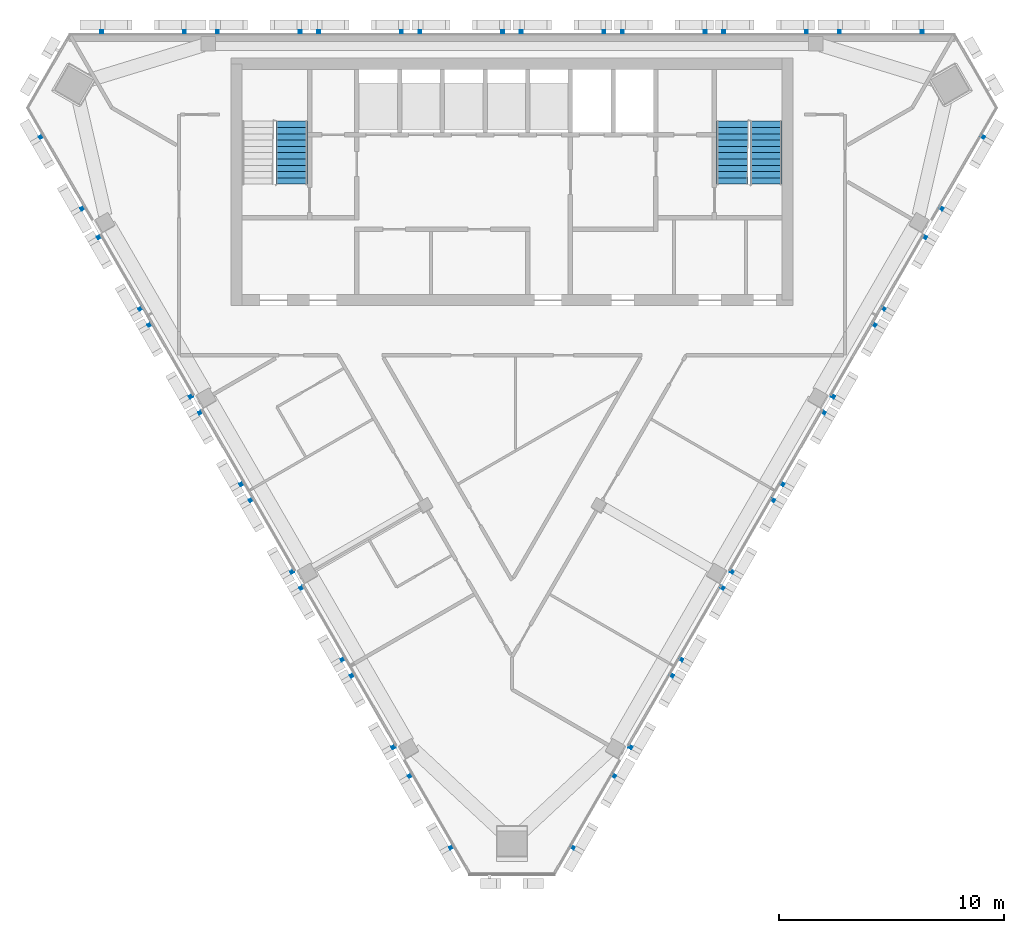
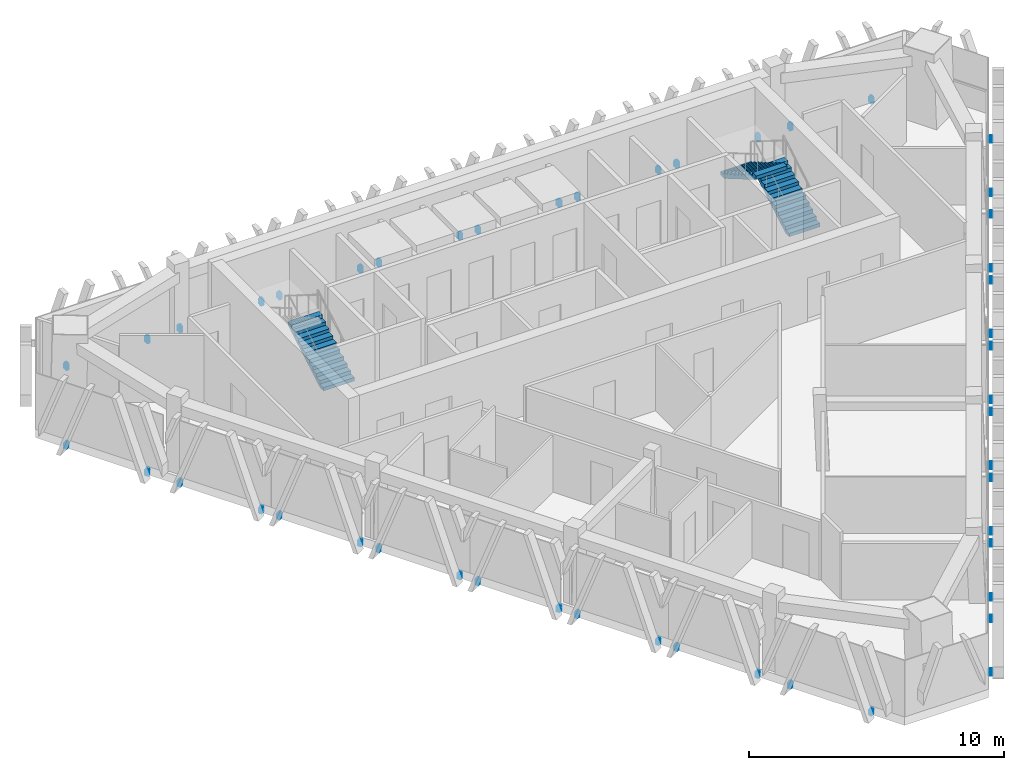
# One storey, part 8 of 12: 3 discrete accessories, 3 stair flights, 2 elements without a shape of their own.
"""IFC4 building model written with IfcOpenShell, lengths in metres."""

from ifc_helpers import new_model, si_unit, direction, frame, origin, place, context, subcontext, project, spatial, polyline, outline, extrude, source, transform, mapped, material, type_object, element, aggregate, save


model = new_model("IFC4")

# Units and contexts
model_context = context("Model", 3, precision=1e-05, world=origin(), true_north=direction((0.0, 1.0)))
body_context = subcontext(model_context, "Body", "Model", "MODEL_VIEW")
ifc_project = project(units=[si_unit("LENGTHUNIT", "METRE"), si_unit("AREAUNIT", "SQUARE_METRE"), si_unit("VOLUMEUNIT", "CUBIC_METRE"), si_unit("PLANEANGLEUNIT", "RADIAN"), si_unit("MASSUNIT", "GRAM", prefix="KILO")], contexts=[model_context])

# Site, building, storey
site_placement = place(None, origin())
site = spatial("IfcSite", under=ifc_project, at=site_placement, CompositionType="ELEMENT")
building_placement = place(site_placement, origin())
building = spatial("IfcBuilding", under=site, at=building_placement, Name="Altiplano Prism Tower", CompositionType="ELEMENT")
storey_placement = place(building_placement, frame((0.0, 0.0, 316.60009765625)))
storey = spatial("IfcBuildingStorey", under=building, at=storey_placement, Name="L82", CompositionType="ELEMENT", Elevation=316.60009765625)

# Stair, stair flight
ifc_material_1 = material(Name="Concrete C40/50", Category="concrete")
stair_type = type_object("IfcStairType", Name="Exit stair 1400", PredefinedType="HALF_TURN_STAIR", material=ifc_material_1)
stair_1_placement = place(storey_placement, origin())
stair_1 = element("IfcStair", 1, at=stair_1_placement, inside=storey, type_object=stair_type, Name="L82 Exit Stair 1", PredefinedType="HALF_TURN_STAIR")
stair_flight_type = type_object("IfcStairFlightType", Name="Stair flight concrete 150", PredefinedType="STRAIGHT", material=ifc_material_1)
stair_flight_1_placement = place(storey_placement, frame((75.199951171875, 98.300048828125, 0.0), z_axis=(0.0, 0.0, 1.0), x_axis=(0.0, 1.0, 0.0)))
stair_flight_1 = element("IfcStairFlight", 2, at=stair_flight_1_placement, type_object=stair_flight_type, Name="ST1 flight 1", NumberOfRisers=11, NumberOfTreads=10, PredefinedType="STRAIGHT", RiserHeight=0.163636364, TreadLength=0.28, context=body_context, shape_type="SweptSolid", body=[
    extrude(outline(polyline([(0.0, 0.0), (0.0, 0.16357421875), (0.280029296875, 0.16357421875), (0.280029296875, 0.327392578125), (0.56005859375, 0.327392578125), (0.56005859375, 0.490966796875), (0.840087890625, 0.490966796875), (0.840087890625, 0.654541015625), (1.1201171875, 0.654541015625), (1.1201171875, 0.818115234375), (1.39990234375, 0.818115234375), (1.39990234375, 0.98193359375), (1.679931640625, 0.98193359375), (1.679931640625, 1.1455078125), (1.9599609375, 1.1455078125), (1.9599609375, 1.30908203125), (2.239990234375, 1.30908203125), (2.239990234375, 1.47265625), (2.52001953125, 1.47265625), (2.52001953125, 1.636474609375), (2.800048828125, 1.636474609375), (2.800048828125, 1.800048828125), (2.800048828125, 1.462646484375), (0.297119140625, 0.0), (0.0, 0.0)])), frame((0.0, 0.699951171875, 0.0), z_axis=(0.0, -1.0, 0.0), x_axis=(1.0, 0.0, 0.0)), (0.0, 0.0, 1.0), 1.39990234375),
])
aggregate(stair_1, [stair_flight_1])

# Stair, stair flights
stair_2_placement = place(storey_placement, origin())
stair_2 = element("IfcStair", 3, at=stair_2_placement, inside=storey, type_object=stair_type, Name="L82 Exit Stair 2", PredefinedType="HALF_TURN_STAIR")
stair_flight_2_placement = place(storey_placement, frame((96.300048828125, 98.300048828125, 0.0), z_axis=(0.0, 0.0, 1.0), x_axis=(0.0, 1.0, 0.0)))
stair_flight_2 = element("IfcStairFlight", 4, at=stair_flight_2_placement, type_object=stair_flight_type, Name="ST2 flight 1", NumberOfRisers=11, NumberOfTreads=10, PredefinedType="STRAIGHT", RiserHeight=0.163636364, TreadLength=0.28, context=body_context, shape_type="SweptSolid", body=[
    extrude(outline(polyline([(0.0, 0.0), (0.0, 0.16357421875), (0.280029296875, 0.16357421875), (0.280029296875, 0.327392578125), (0.56005859375, 0.327392578125), (0.56005859375, 0.490966796875), (0.840087890625, 0.490966796875), (0.840087890625, 0.654541015625), (1.1201171875, 0.654541015625), (1.1201171875, 0.818115234375), (1.39990234375, 0.818115234375), (1.39990234375, 0.98193359375), (1.679931640625, 0.98193359375), (1.679931640625, 1.1455078125), (1.9599609375, 1.1455078125), (1.9599609375, 1.30908203125), (2.239990234375, 1.30908203125), (2.239990234375, 1.47265625), (2.52001953125, 1.47265625), (2.52001953125, 1.636474609375), (2.800048828125, 1.636474609375), (2.800048828125, 1.800048828125), (2.800048828125, 1.462646484375), (0.297119140625, 0.0), (0.0, 0.0)])), frame((0.0, 0.699951171875, 0.0), z_axis=(0.0, -1.0, 0.0), x_axis=(1.0, 0.0, 0.0)), (0.0, 0.0, 1.0), 1.39990234375),
])
stair_flight_3_placement = place(storey_placement, frame((94.800048828125, 101.10009765625, 1.7998046875), z_axis=(0.0, 0.0, 1.0), x_axis=(0.0, -1.0, 0.0)))
stair_flight_3 = element("IfcStairFlight", 5, at=stair_flight_3_placement, type_object=stair_flight_type, Name="ST2 flight 2", NumberOfRisers=11, NumberOfTreads=10, PredefinedType="STRAIGHT", RiserHeight=0.163636364, TreadLength=0.28, context=body_context, shape_type="SweptSolid", body=[
    extrude(outline(polyline([(0.0, 0.0), (0.0, 0.16357421875), (0.280029296875, 0.16357421875), (0.280029296875, 0.327392578125), (0.56005859375, 0.327392578125), (0.56005859375, 0.490966796875), (0.840087890625, 0.490966796875), (0.840087890625, 0.654541015625), (1.1201171875, 0.654541015625), (1.1201171875, 0.818115234375), (1.39990234375, 0.818115234375), (1.39990234375, 0.98193359375), (1.679931640625, 0.98193359375), (1.679931640625, 1.1455078125), (1.9599609375, 1.1455078125), (1.9599609375, 1.30908203125), (2.239990234375, 1.30908203125), (2.239990234375, 1.47265625), (2.52001953125, 1.47265625), (2.52001953125, 1.636474609375), (2.800048828125, 1.636474609375), (2.800048828125, 1.800048828125), (2.800048828125, 1.462646484375), (0.297119140625, 0.0), (0.0, 0.0)])), frame((0.0, 0.699951171875, 0.0), z_axis=(0.0, -1.0, 0.0), x_axis=(1.0, 0.0, 0.0)), (0.0, 0.0, 1.0), 1.39990234375),
])
aggregate(stair_2, [stair_flight_2, stair_flight_3])

# Discrete accessories
ifc_material_2 = material(Name="Stainless steel", Category="steel")
discrete_accessory_type = type_object("IfcDiscreteAccessoryType", Name="Stone fin fixing prongs", PredefinedType="USERDEFINED", material=ifc_material_2)
shared_shape_1 = source(origin(), body_context, "Body", "SweptSolid", [
    extrude(outline(polyline([(-1.8974609375, 0.06005859375), (-1.777587890625, 0.06005859375), (-1.777587890625, 0.340087890625), (-1.8974609375, 0.340087890625), (-1.8974609375, 0.06005859375)])), frame((0.0, 0.0, 0.0), z_axis=(0.0, -1.0, 0.0), x_axis=(1.0, 0.0, 0.0)), (0.0, 0.0, 1.0), 0.14990234375),
    extrude(outline(polyline([(1.777587890625, 0.06005859375), (1.8974609375, 0.06005859375), (1.8974609375, 0.340087890625), (1.777587890625, 0.340087890625), (1.777587890625, 0.06005859375)])), frame((0.0, 0.0, 0.0), z_axis=(0.0, -1.0, 0.0), x_axis=(1.0, 0.0, 0.0)), (0.0, 0.0, 1.0), 0.14990234375),
])
shared_shape_2 = source(origin(), body_context, "Body", "SweptSolid", [
    extrude(outline(polyline([(-1.8974609375, 0.06005859375), (-1.777587890625, 0.06005859375), (-1.777587890625, 0.340087890625), (-1.8974609375, 0.340087890625), (-1.8974609375, 0.06005859375)])), frame((0.0, 0.0, 0.0), z_axis=(0.0, -1.0, 0.0), x_axis=(1.0, 0.0, 0.0)), (0.0, 0.0, 1.0), 0.14990234375),
    extrude(outline(polyline([(1.777587890625, 0.06005859375), (1.8974609375, 0.06005859375), (1.8974609375, 0.340087890625), (1.777587890625, 0.340087890625), (1.777587890625, 0.06005859375)])), frame((0.0, 0.0, 0.0), z_axis=(0.0, -1.0, 0.0), x_axis=(1.0, 0.0, 0.0)), (0.0, 0.0, 1.0), 0.14990234375),
])
discrete_accessory_1_placement = place(storey_placement, origin())
element("IfcDiscreteAccessory", 6, at=discrete_accessory_1_placement, inside=storey, type_object=discrete_accessory_type, Name="Fin fixings L82 north face", ObjectType="BRACKET", PredefinedType="USERDEFINED", context=body_context, shape_type="MappedRepresentation", body=[
    mapped(shared_shape_1, transform((101.397705078125, 105.0, -0.400146484375), x_axis=(-1.0, 0.0, 0.0), y_axis=(0.0, -1.0, 0.0), z_axis=(0.0, 0.0, 1.0))),
    mapped(shared_shape_2, transform((96.25, 105.0, -0.400146484375), x_axis=(-1.0, 0.0, 0.0), y_axis=(0.0, -1.0, 0.0), z_axis=(0.0, 0.0, 1.0))),
    mapped(shared_shape_2, transform((91.75, 105.0, -0.400146484375), x_axis=(-1.0, 0.0, 0.0), y_axis=(0.0, -1.0, 0.0), z_axis=(0.0, 0.0, 1.0))),
    mapped(shared_shape_2, transform((87.25, 105.0, -0.400146484375), x_axis=(-1.0, 0.0, 0.0), y_axis=(0.0, -1.0, 0.0), z_axis=(0.0, 0.0, 1.0))),
    mapped(shared_shape_2, transform((82.75, 105.0, -0.400146484375), x_axis=(-1.0, 0.0, 0.0), y_axis=(0.0, -1.0, 0.0), z_axis=(0.0, 0.0, 1.0))),
    mapped(shared_shape_2, transform((78.25, 105.0, -0.400146484375), x_axis=(-1.0, 0.0, 0.0), y_axis=(0.0, -1.0, 0.0), z_axis=(0.0, 0.0, 1.0))),
    mapped(shared_shape_2, transform((73.75, 105.0, -0.400146484375), x_axis=(-1.0, 0.0, 0.0), y_axis=(0.0, -1.0, 0.0), z_axis=(0.0, 0.0, 1.0))),
    mapped(shared_shape_1, transform((68.602294921875, 105.0, -0.400146484375), x_axis=(-1.0, 0.0, 0.0), y_axis=(0.0, -1.0, 0.0), z_axis=(0.0, 0.0, 1.0))),
])
discrete_accessory_2_placement = place(storey_placement, origin())
element("IfcDiscreteAccessory", 7, at=discrete_accessory_2_placement, inside=storey, type_object=discrete_accessory_type, Name="Fin fixings L82 south-west face", ObjectType="BRACKET", PredefinedType="USERDEFINED", context=body_context, shape_type="MappedRepresentation", body=[
    mapped(shared_shape_1, transform((65.04931640625, 98.84619140625, -0.400146484375), x_axis=(0.500000006139, -0.86602540024, 0.0), y_axis=(0.86602540024, 0.500000006139, 0.0), z_axis=(0.0, 0.0, 1.0))),
    mapped(shared_shape_2, transform((67.623291015625, 94.387939453125, -0.400146484375), x_axis=(0.500000006139, -0.86602540024, 0.0), y_axis=(0.86602540024, 0.500000006139, 0.0), z_axis=(0.0, 0.0, 1.0))),
    mapped(shared_shape_2, transform((69.873291015625, 90.490966796875, -0.400146484375), x_axis=(0.500000006139, -0.86602540024, 0.0), y_axis=(0.86602540024, 0.500000006139, 0.0), z_axis=(0.0, 0.0, 1.0))),
    mapped(shared_shape_2, transform((72.123291015625, 86.59375, -0.400146484375), x_axis=(0.500000006139, -0.86602540024, 0.0), y_axis=(0.86602540024, 0.500000006139, 0.0), z_axis=(0.0, 0.0, 1.0))),
    mapped(shared_shape_2, transform((74.373291015625, 82.69677734375, -0.400146484375), x_axis=(0.500000006139, -0.86602540024, 0.0), y_axis=(0.86602540024, 0.500000006139, 0.0), z_axis=(0.0, 0.0, 1.0))),
    mapped(shared_shape_2, transform((76.623291015625, 78.799560546875, -0.400146484375), x_axis=(0.500000006139, -0.86602540024, 0.0), y_axis=(0.86602540024, 0.500000006139, 0.0), z_axis=(0.0, 0.0, 1.0))),
    mapped(shared_shape_2, transform((78.873291015625, 74.902587890625, -0.400146484375), x_axis=(0.500000006139, -0.86602540024, 0.0), y_axis=(0.86602540024, 0.500000006139, 0.0), z_axis=(0.0, 0.0, 1.0))),
    mapped(shared_shape_1, transform((81.447021484375, 70.4443359375, -0.400146484375), x_axis=(0.500000006139, -0.86602540024, 0.0), y_axis=(0.86602540024, 0.500000006139, 0.0), z_axis=(0.0, 0.0, 1.0))),
])
discrete_accessory_3_placement = place(storey_placement, origin())
element("IfcDiscreteAccessory", 8, at=discrete_accessory_3_placement, inside=storey, type_object=discrete_accessory_type, Name="Fin fixings L82 south-east face", ObjectType="BRACKET", PredefinedType="USERDEFINED", context=body_context, shape_type="MappedRepresentation", body=[
    mapped(shared_shape_1, transform((88.552978515625, 70.4443359375, -0.400146484375), x_axis=(0.500000006139, 0.86602540024, 0.0), y_axis=(-0.86602540024, 0.500000006139, 0.0), z_axis=(0.0, 0.0, 1.0))),
    mapped(shared_shape_2, transform((91.126708984375, 74.902587890625, -0.400146484375), x_axis=(0.500000006139, 0.86602540024, 0.0), y_axis=(-0.86602540024, 0.500000006139, 0.0), z_axis=(0.0, 0.0, 1.0))),
    mapped(shared_shape_2, transform((93.376708984375, 78.799560546875, -0.400146484375), x_axis=(0.500000006139, 0.86602540024, 0.0), y_axis=(-0.86602540024, 0.500000006139, 0.0), z_axis=(0.0, 0.0, 1.0))),
    mapped(shared_shape_2, transform((95.626708984375, 82.69677734375, -0.400146484375), x_axis=(0.500000006139, 0.86602540024, 0.0), y_axis=(-0.86602540024, 0.500000006139, 0.0), z_axis=(0.0, 0.0, 1.0))),
    mapped(shared_shape_2, transform((97.876708984375, 86.59375, -0.400146484375), x_axis=(0.500000006139, 0.86602540024, 0.0), y_axis=(-0.86602540024, 0.500000006139, 0.0), z_axis=(0.0, 0.0, 1.0))),
    mapped(shared_shape_2, transform((100.126708984375, 90.490966796875, -0.400146484375), x_axis=(0.500000006139, 0.86602540024, 0.0), y_axis=(-0.86602540024, 0.500000006139, 0.0), z_axis=(0.0, 0.0, 1.0))),
    mapped(shared_shape_2, transform((102.376708984375, 94.387939453125, -0.400146484375), x_axis=(0.500000006139, 0.86602540024, 0.0), y_axis=(-0.86602540024, 0.500000006139, 0.0), z_axis=(0.0, 0.0, 1.0))),
    mapped(shared_shape_1, transform((104.95068359375, 98.84619140625, -0.400146484375), x_axis=(0.500000006139, 0.86602540024, 0.0), y_axis=(-0.86602540024, 0.500000006139, 0.0), z_axis=(0.0, 0.0, 1.0))),
])

save(model, "model.ifc")
